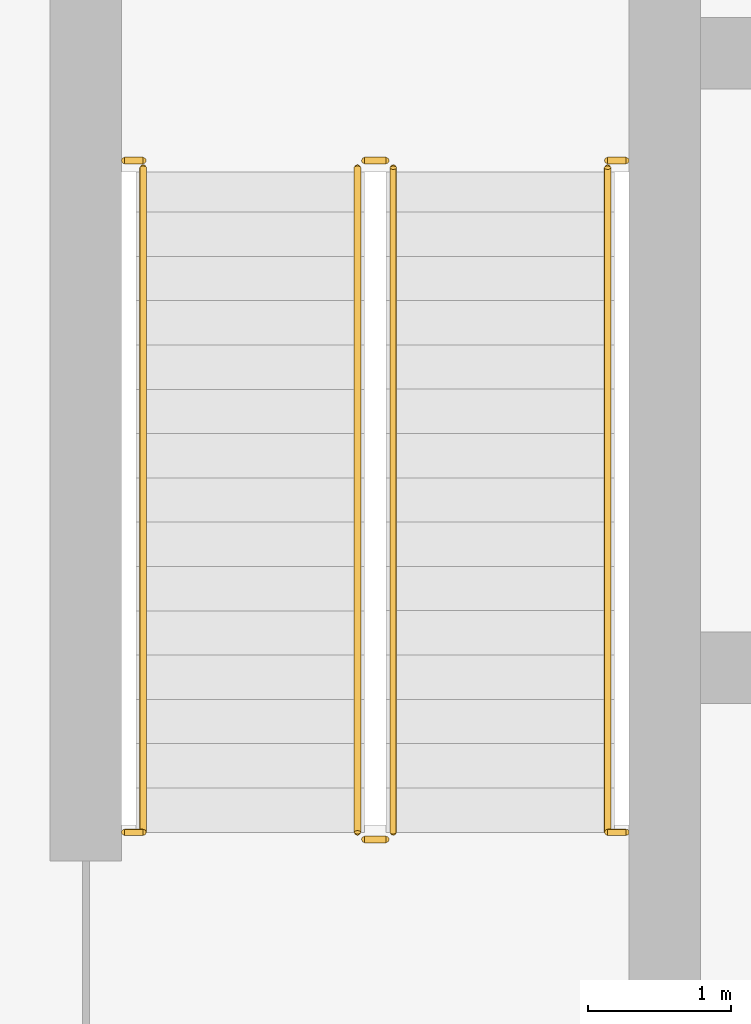
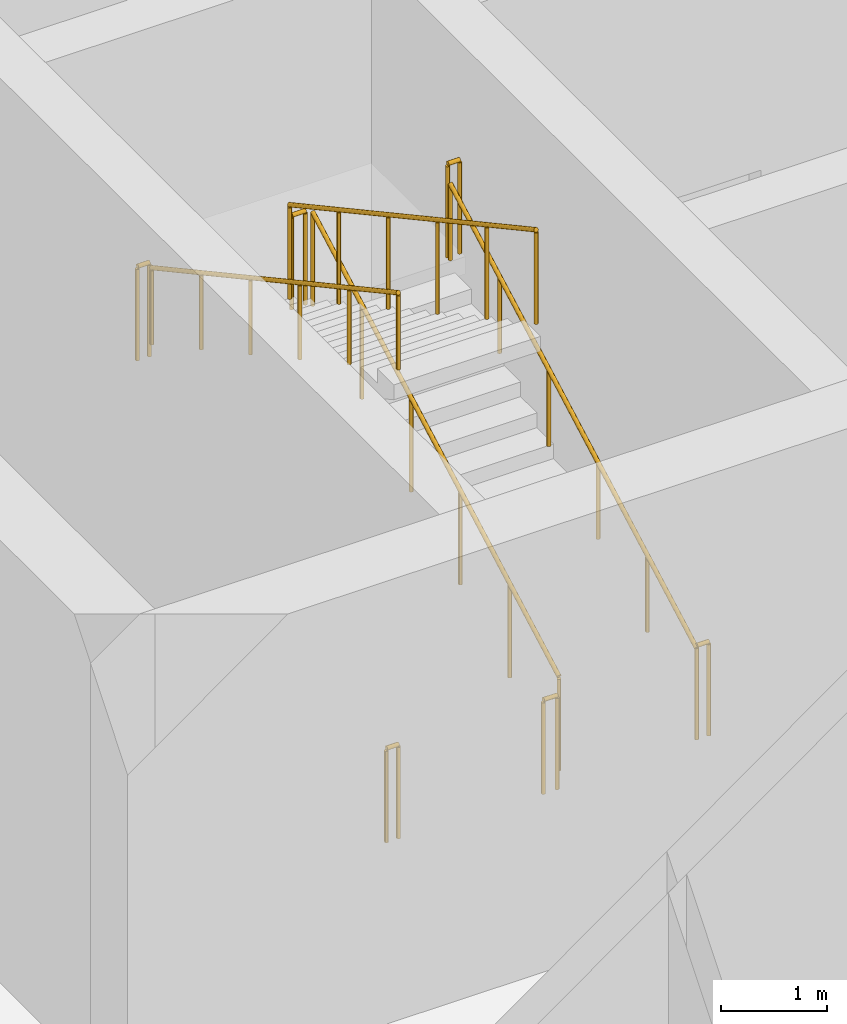
# One storey, part 24 of 30: 10 railings.
"""IFC4 building model written with IfcOpenShell, lengths in metres."""

from ifc_helpers import new_model, si_unit, direction, frame, origin, origin_2d, place, context, subcontext, project, spatial, circle, extrude, material, type_object, element, save


model = new_model("IFC4")

# Units and contexts
model_context = context("Model", 3, precision=1e-05, world=origin(), true_north=direction((0.0, 1.0)))
body_context = subcontext(model_context, "Body", "Model", "MODEL_VIEW")
ifc_project = project(units=[si_unit("LENGTHUNIT", "METRE"), si_unit("AREAUNIT", "SQUARE_METRE"), si_unit("VOLUMEUNIT", "CUBIC_METRE"), si_unit("PLANEANGLEUNIT", "RADIAN"), si_unit("MASSUNIT", "GRAM", prefix="KILO")], contexts=[model_context])

# Site, building, storey
site_placement = place(None, origin())
site = spatial("IfcSite", under=ifc_project, at=site_placement, CompositionType="ELEMENT")
building_placement = place(site_placement, origin())
building = spatial("IfcBuilding", under=site, at=building_placement, Name="Madar Terraces", CompositionType="ELEMENT")
storey_placement = place(building_placement, frame((0.0, 0.0, 173.5)))
storey = spatial("IfcBuildingStorey", under=building, at=storey_placement, Name="L45", CompositionType="ELEMENT", Elevation=173.5)

# Railings
ifc_material_1 = material(Name="Stainless steel railing", Category="steel")
railing_type_1 = type_object("IfcRailingType", Name="Stair guard 1100", PredefinedType="GUARDRAIL", material=ifc_material_1)
railing_1_placement = place(storey_placement, frame((21.199951171875, 17.60009765625, 0.168701171875)))
element("IfcRailing", 1, at=railing_1_placement, inside=storey, type_object=railing_type_1, Name="L45 ST1 stair guard 1", PredefinedType="GUARDRAIL", context=body_context, shape_type="SweptSolid", body=[
    extrude(circle(Radius=0.02392578125, at=origin_2d()), frame((0.0, 0.0, 1.076171875), z_axis=(0.0, 0.878297076953, 0.478115304728), x_axis=(-1.0, 0.0, 0.0)), (0.0, 0.0, 1.0), 5.294189453125),
    extrude(circle(Radius=0.02099609375, at=origin_2d()), origin(), (0.0, 0.0, 1.0), 1.052001953125),
    extrude(circle(Radius=0.02099609375, at=origin_2d()), frame((0.0, 0.929931640625, 0.50634765625)), (0.0, 0.0, 1.0), 1.052001953125),
    extrude(circle(Radius=0.02099609375, at=origin_2d()), frame((0.0, 1.85986328125, 1.012451171875)), (0.0, 0.0, 1.0), 1.052001953125),
    extrude(circle(Radius=0.02099609375, at=origin_2d()), frame((0.0, 2.7900390625, 1.518798828125)), (0.0, 0.0, 1.0), 1.052001953125),
    extrude(circle(Radius=0.02099609375, at=origin_2d()), frame((0.0, 3.719970703125, 2.02490234375)), (0.0, 0.0, 1.0), 1.052001953125),
    extrude(circle(Radius=0.02099609375, at=origin_2d()), frame((0.0, 4.64990234375, 2.53125)), (0.0, 0.0, 1.0), 1.052001953125),
])
railing_2_placement = place(storey_placement, frame((21.14990234375, 22.300048828125, 2.699951171875)))
element("IfcRailing", 2, at=railing_2_placement, inside=storey, type_object=railing_type_1, Name="L45 ST1 stair guard 2", PredefinedType="GUARDRAIL", context=body_context, shape_type="SweptSolid", body=[
    extrude(circle(Radius=0.02392578125, at=origin_2d()), frame((0.0, 0.0, 1.076171875), z_axis=(-1.0, 0.0, 0.0), x_axis=(0.0, -1.0, 0.0)), (0.0, 0.0, 1.0), 0.14990234375),
    extrude(circle(Radius=0.02099609375, at=origin_2d()), origin(), (0.0, 0.0, 1.0), 1.052001953125),
    extrude(circle(Radius=0.02099609375, at=origin_2d()), frame((-0.14990234375, 0.0, 0.0)), (0.0, 0.0, 1.0), 1.052001953125),
])
railing_3_placement = place(storey_placement, frame((20.949951171875, 22.25, 2.86865234375)))
element("IfcRailing", 3, at=railing_3_placement, inside=storey, type_object=railing_type_1, Name="L45 ST1 stair guard 3", PredefinedType="GUARDRAIL", context=body_context, shape_type="SweptSolid", body=[
    extrude(circle(Radius=0.02392578125, at=origin_2d()), frame((0.0, 0.0, 1.076171875), z_axis=(0.0, -0.878297076953, 0.478115304728), x_axis=(1.0, 0.0, 0.0)), (0.0, 0.0, 1.0), 5.294189453125),
    extrude(circle(Radius=0.02099609375, at=origin_2d()), origin(), (0.0, 0.0, 1.0), 1.052001953125),
    extrude(circle(Radius=0.02099609375, at=origin_2d()), frame((0.0, -0.929931640625, 0.50634765625)), (0.0, 0.0, 1.0), 1.052001953125),
    extrude(circle(Radius=0.02099609375, at=origin_2d()), frame((0.0, -1.85986328125, 1.012451171875)), (0.0, 0.0, 1.0), 1.052001953125),
    extrude(circle(Radius=0.02099609375, at=origin_2d()), frame((0.0, -2.7900390625, 1.518798828125)), (0.0, 0.0, 1.0), 1.052001953125),
    extrude(circle(Radius=0.02099609375, at=origin_2d()), frame((0.0, -3.719970703125, 2.02490234375)), (0.0, 0.0, 1.0), 1.052001953125),
    extrude(circle(Radius=0.02099609375, at=origin_2d()), frame((0.0, -4.64990234375, 2.53125)), (0.0, 0.0, 1.0), 1.052001953125),
])
railing_4_placement = place(storey_placement, frame((21.14990234375, 17.550048828125, 0.0)))
element("IfcRailing", 4, at=railing_4_placement, inside=storey, type_object=railing_type_1, Name="L45 ST1 stair guard 4", PredefinedType="GUARDRAIL", context=body_context, shape_type="SweptSolid", body=[
    extrude(circle(Radius=0.02392578125, at=origin_2d()), frame((0.0, 0.0, 1.076171875), z_axis=(-1.0, 0.0, 0.0), x_axis=(0.0, -1.0, 0.0)), (0.0, 0.0, 1.0), 0.14990234375),
    extrude(circle(Radius=0.02099609375, at=origin_2d()), origin(), (0.0, 0.0, 1.0), 1.052001953125),
    extrude(circle(Radius=0.02099609375, at=origin_2d()), frame((-0.14990234375, 0.0, 0.0)), (0.0, 0.0, 1.0), 1.052001953125),
])
railing_5_placement = place(storey_placement, frame((19.320068359375, 22.300048828125, 2.699951171875)))
element("IfcRailing", 5, at=railing_5_placement, inside=storey, type_object=railing_type_1, Name="L45 stair guard seat 1", PredefinedType="GUARDRAIL", context=body_context, shape_type="SweptSolid", body=[
    extrude(circle(Radius=0.02392578125, at=origin_2d()), frame((0.0, 0.0, 1.076171875), z_axis=(1.0, 0.0, 0.0), x_axis=(0.0, 1.0, 0.0)), (0.0, 0.0, 1.0), 0.1298828125),
    extrude(circle(Radius=0.02099609375, at=origin_2d()), origin(), (0.0, 0.0, 1.0), 1.052001953125),
    extrude(circle(Radius=0.02099609375, at=origin_2d()), frame((0.1298828125, 0.0, 0.0)), (0.0, 0.0, 1.0), 1.052001953125),
])
railing_6_placement = place(storey_placement, frame((22.699951171875, 22.300048828125, 2.699951171875)))
element("IfcRailing", 6, at=railing_6_placement, inside=storey, type_object=railing_type_1, Name="L45 stair guard seat 2", PredefinedType="GUARDRAIL", context=body_context, shape_type="SweptSolid", body=[
    extrude(circle(Radius=0.02392578125, at=origin_2d()), frame((0.0, 0.0, 1.076171875), z_axis=(1.0, 0.0, 0.0), x_axis=(0.0, 1.0, 0.0)), (0.0, 0.0, 1.0), 0.130126953125),
    extrude(circle(Radius=0.02099609375, at=origin_2d()), origin(), (0.0, 0.0, 1.0), 1.052001953125),
    extrude(circle(Radius=0.02099609375, at=origin_2d()), frame((0.130126953125, 0.0, 0.0)), (0.0, 0.0, 1.0), 1.052001953125),
])
railing_7_placement = place(storey_placement, frame((19.320068359375, 17.60009765625, 0.0)))
element("IfcRailing", 7, at=railing_7_placement, inside=storey, type_object=railing_type_1, Name="L45 stair guard floor 1", PredefinedType="GUARDRAIL", context=body_context, shape_type="SweptSolid", body=[
    extrude(circle(Radius=0.02392578125, at=origin_2d()), frame((0.0, 0.0, 1.076171875), z_axis=(1.0, 0.0, 0.0), x_axis=(0.0, 1.0, 0.0)), (0.0, 0.0, 1.0), 0.1298828125),
    extrude(circle(Radius=0.02099609375, at=origin_2d()), origin(), (0.0, 0.0, 1.0), 1.052001953125),
    extrude(circle(Radius=0.02099609375, at=origin_2d()), frame((0.1298828125, 0.0, 0.0)), (0.0, 0.0, 1.0), 1.052001953125),
])
railing_8_placement = place(storey_placement, frame((22.699951171875, 17.60009765625, 0.0)))
element("IfcRailing", 8, at=railing_8_placement, inside=storey, type_object=railing_type_1, Name="L45 stair guard floor 2", PredefinedType="GUARDRAIL", context=body_context, shape_type="SweptSolid", body=[
    extrude(circle(Radius=0.02392578125, at=origin_2d()), frame((0.0, 0.0, 1.076171875), z_axis=(1.0, 0.0, 0.0), x_axis=(0.0, 1.0, 0.0)), (0.0, 0.0, 1.0), 0.130126953125),
    extrude(circle(Radius=0.02099609375, at=origin_2d()), origin(), (0.0, 0.0, 1.0), 1.052001953125),
    extrude(circle(Radius=0.02099609375, at=origin_2d()), frame((0.130126953125, 0.0, 0.0)), (0.0, 0.0, 1.0), 1.052001953125),
])
ifc_material_2 = material(Name="Stainless steel railing", Category="steel")
railing_type_2 = type_object("IfcRailingType", Name="Stair handrail 900", PredefinedType="HANDRAIL", material=ifc_material_2)
railing_9_placement = place(storey_placement, frame((22.699951171875, 17.60009765625, 0.168701171875)))
element("IfcRailing", 9, at=railing_9_placement, inside=storey, type_object=railing_type_2, Name="L45 ST1 stair handrail 1", PredefinedType="HANDRAIL", context=body_context, shape_type="SweptSolid", body=[
    extrude(circle(Radius=0.02392578125, at=origin_2d()), frame((0.0, 0.0, 0.8759765625), z_axis=(0.0, 0.878297076953, 0.478115304728), x_axis=(-1.0, 0.0, 0.0)), (0.0, 0.0, 1.0), 5.294189453125),
    extrude(circle(Radius=0.02099609375, at=origin_2d()), origin(), (0.0, 0.0, 1.0), 0.851806640625),
    extrude(circle(Radius=0.02099609375, at=origin_2d()), frame((0.0, 0.929931640625, 0.50634765625)), (0.0, 0.0, 1.0), 0.851806640625),
    extrude(circle(Radius=0.02099609375, at=origin_2d()), frame((0.0, 1.85986328125, 1.012451171875)), (0.0, 0.0, 1.0), 0.851806640625),
    extrude(circle(Radius=0.02099609375, at=origin_2d()), frame((0.0, 2.7900390625, 1.518798828125)), (0.0, 0.0, 1.0), 0.851806640625),
    extrude(circle(Radius=0.02099609375, at=origin_2d()), frame((0.0, 3.719970703125, 2.02490234375)), (0.0, 0.0, 1.0), 0.851806640625),
    extrude(circle(Radius=0.02099609375, at=origin_2d()), frame((0.0, 4.64990234375, 2.53125)), (0.0, 0.0, 1.0), 0.851806640625),
])
railing_10_placement = place(storey_placement, frame((19.449951171875, 22.25, 2.86865234375)))
element("IfcRailing", 10, at=railing_10_placement, inside=storey, type_object=railing_type_2, Name="L45 ST1 stair handrail 2", PredefinedType="HANDRAIL", context=body_context, shape_type="SweptSolid", body=[
    extrude(circle(Radius=0.02392578125, at=origin_2d()), frame((0.0, 0.0, 0.8759765625), z_axis=(0.0, -0.878297076953, 0.478115304728), x_axis=(1.0, 0.0, 0.0)), (0.0, 0.0, 1.0), 5.294189453125),
    extrude(circle(Radius=0.02099609375, at=origin_2d()), origin(), (0.0, 0.0, 1.0), 0.851806640625),
    extrude(circle(Radius=0.02099609375, at=origin_2d()), frame((0.0, -0.929931640625, 0.50634765625)), (0.0, 0.0, 1.0), 0.851806640625),
    extrude(circle(Radius=0.02099609375, at=origin_2d()), frame((0.0, -1.85986328125, 1.012451171875)), (0.0, 0.0, 1.0), 0.851806640625),
    extrude(circle(Radius=0.02099609375, at=origin_2d()), frame((0.0, -2.7900390625, 1.518798828125)), (0.0, 0.0, 1.0), 0.851806640625),
    extrude(circle(Radius=0.02099609375, at=origin_2d()), frame((0.0, -3.719970703125, 2.02490234375)), (0.0, 0.0, 1.0), 0.851806640625),
    extrude(circle(Radius=0.02099609375, at=origin_2d()), frame((0.0, -4.64990234375, 2.53125)), (0.0, 0.0, 1.0), 0.851806640625),
])

save(model, "model.ifc")
